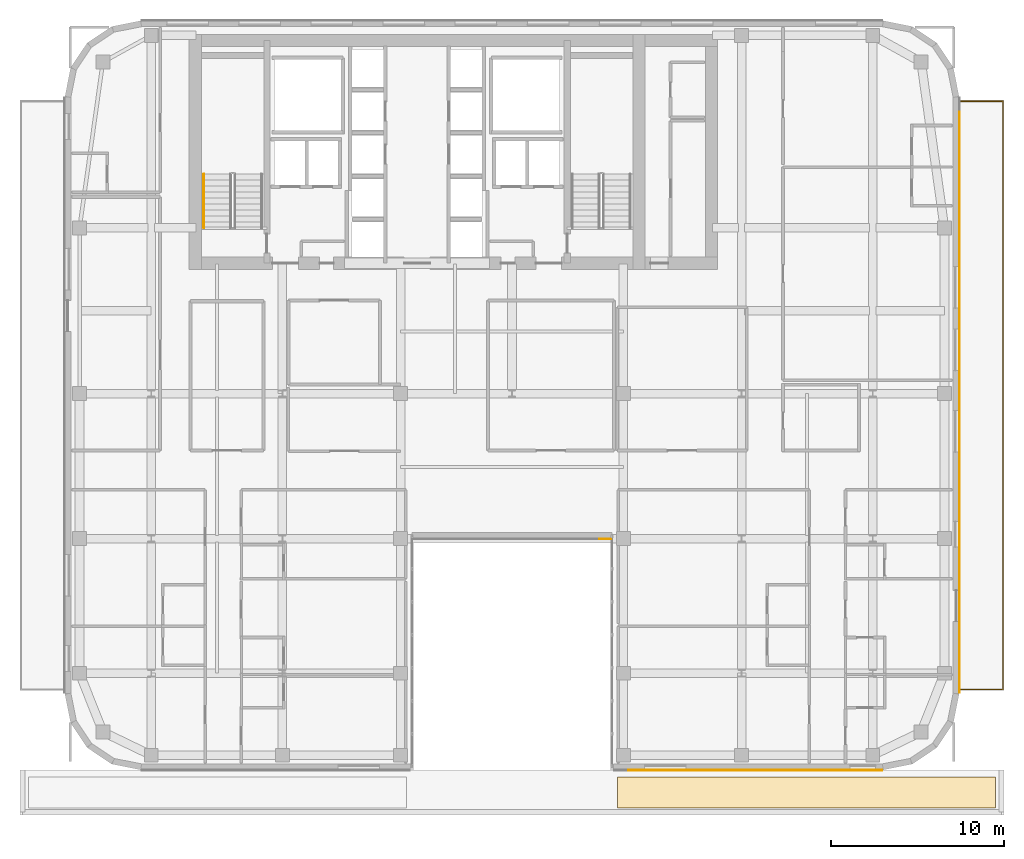
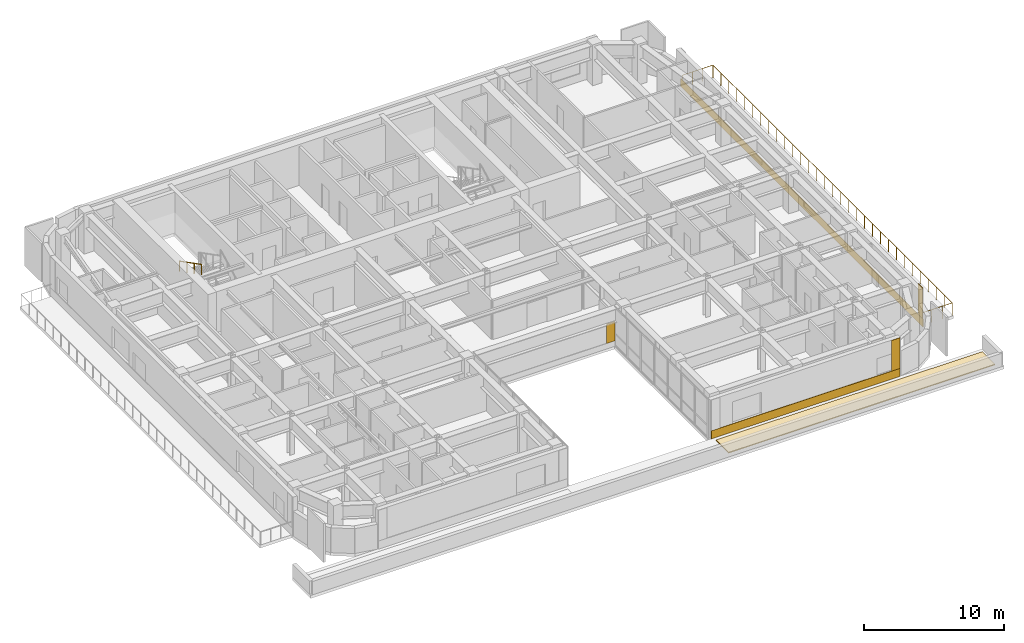
# One storey, part 17 of 20: 6 coverings, 2 railings.
"""IFC4 building model written with IfcOpenShell, lengths in metres."""

from ifc_helpers import new_model, si_unit, direction, frame, origin, origin_2d, place, context, subcontext, project, spatial, polyline, circle, outline, extrude, material, layer, layer_set, type_object, element, save


model = new_model("IFC4")

# Units and contexts
model_context = context("Model", 3, precision=1e-05, world=origin(), true_north=direction((0.0, 1.0)))
body_context = subcontext(model_context, "Body", "Model", "MODEL_VIEW")
ifc_project = project(units=[si_unit("LENGTHUNIT", "METRE"), si_unit("AREAUNIT", "SQUARE_METRE"), si_unit("VOLUMEUNIT", "CUBIC_METRE"), si_unit("PLANEANGLEUNIT", "RADIAN"), si_unit("MASSUNIT", "GRAM", prefix="KILO")], contexts=[model_context])

# Site, building, storey
site_placement = place(None, origin())
site = spatial("IfcSite", under=ifc_project, at=site_placement, CompositionType="ELEMENT")
building_placement = place(site_placement, origin())
building = spatial("IfcBuilding", under=site, at=building_placement, Name="Tolvann Quenvar Hotel", CompositionType="ELEMENT")
storey_placement = place(building_placement, frame((0.0, 0.0, 147.050048828125)))
storey = spatial("IfcBuildingStorey", under=building, at=storey_placement, Name="L38", CompositionType="ELEMENT", Elevation=147.050048828125)

# Coverings
ifc_material_1 = material(Name="Kiln-fired red architectural face brick cladding", Category="masonry")
ifc_layer_1 = layer(ifc_material_1, 0.0400390625)
ifc_layer_set_1 = layer_set([ifc_layer_1], Name="Kiln-fired red architectural face brick cladding")
covering_type_1 = type_object("IfcCoveringType", Name="COV_CLAD_BRICK_40", PredefinedType="CLADDING", material=ifc_layer_set_1)
covering_1_placement = place(storey_placement, frame((0.0, 0.0, 0.47509765625)))
element("IfcCovering", 1, at=covering_1_placement, inside=storey, type_object=covering_type_1, Name="Brick Pier Cladding (L38-E06-P2)", PredefinedType="CLADDING", context=body_context, shape_type="SweptSolid", body=[
    extrude(outline(polyline([(33.5400390625, 16.0), (34.239990234375, 16.0), (34.239990234375, 15.9599609375), (33.5400390625, 15.9599609375), (33.5400390625, 16.0)])), origin(), (0.0, 0.0, 1.0), 1.684814453125),
])
covering_2_placement = place(storey_placement, frame((0.0, 0.0, 0.699951171875)))
element("IfcCovering", 2, at=covering_2_placement, inside=storey, type_object=covering_type_1, Name="Brick Pier Cladding (L38-E08-P2)", PredefinedType="CLADDING", context=body_context, shape_type="SweptSolid", body=[
    extrude(outline(polyline([(49.23291015625, 2.60009765625), (49.932861328125, 2.60009765625), (49.932861328125, 2.56005859375), (49.23291015625, 2.56005859375), (49.23291015625, 2.60009765625)])), origin(), (0.0, 0.0, 1.0), 2.669921875),
])
covering_3_placement = place(storey_placement, frame((0.0, 0.0, 0.699951171875)))
element("IfcCovering", 3, at=covering_3_placement, inside=storey, type_object=covering_type_1, Name="Brick Pier Cladding (L38-E13-P1)", PredefinedType="CLADDING", context=body_context, shape_type="SweptSolid", body=[
    extrude(outline(polyline([(54.39990234375, 7.067138671875), (54.39990234375, 7.76708984375), (54.43994140625, 7.76708984375), (54.43994140625, 7.067138671875), (54.39990234375, 7.067138671875)])), origin(), (0.0, 0.0, 1.0), 2.669921875),
])
ifc_material_2 = material(Name="Moulded buff architectural terracotta spandrel cladding", Category="masonry")
ifc_layer_2 = layer(ifc_material_2, 0.0400390625)
ifc_layer_set_2 = layer_set([ifc_layer_2], Name="Moulded buff architectural terracotta spandrel cladding")
covering_type_2 = type_object("IfcCoveringType", Name="COV_CLAD_TERRA_40", PredefinedType="CLADDING", material=ifc_layer_set_2)
covering_4_placement = place(storey_placement, origin())
element("IfcCovering", 4, at=covering_4_placement, inside=storey, type_object=covering_type_2, Name="Terracotta Spandrel Cladding (L38-E08)", PredefinedType="CLADDING", context=body_context, shape_type="SweptSolid", body=[
    extrude(outline(polyline([(34.4150390625, 2.60009765625), (49.94287109375, 2.60009765625), (49.94287109375, 2.56005859375), (34.4150390625, 2.56005859375), (34.4150390625, 2.60009765625)])), origin(), (0.0, 0.0, 1.0), 0.699951171875),
])
covering_5_placement = place(storey_placement, origin())
element("IfcCovering", 5, at=covering_5_placement, inside=storey, type_object=covering_type_2, Name="Terracotta Spandrel Cladding (L38-E13)", PredefinedType="CLADDING", context=body_context, shape_type="SweptSolid", body=[
    extrude(outline(polyline([(54.39990234375, 7.05712890625), (54.39990234375, 41.542724609375), (54.43994140625, 41.542724609375), (54.43994140625, 7.05712890625), (54.39990234375, 7.05712890625)])), origin(), (0.0, 0.0, 1.0), 0.699951171875),
])
ifc_material_3 = material(Name="Elastomeric SBS waterproof roofing membrane and rigid insulation")
ifc_layer_3 = layer(ifc_material_3, 0.080078125)
ifc_layer_set_3 = layer_set([ifc_layer_3], Name="Elastomeric SBS waterproof roofing membrane and rigid insulation")
covering_type_3 = type_object("IfcCoveringType", Name="COV_ROOF_MEMB_80", PredefinedType="ROOFING", material=ifc_layer_set_3)
covering_6_placement = place(storey_placement, origin())
element("IfcCovering", 6, at=covering_6_placement, inside=storey, type_object=covering_type_3, Name="Waterproof Roof Membrane (ROOFING-L38-S2)", PredefinedType="ROOFING", context=body_context, shape_type="SweptSolid", body=[
    extrude(outline(polyline([(34.60009765625, 0.39990234375), (56.5, 0.39990234375), (56.5, 2.199951171875), (34.60009765625, 2.199951171875), (34.60009765625, 0.39990234375)])), origin(), (0.0, 0.0, 1.0), 0.079833984375),
])

# Railings
ifc_material_4 = material(Name="Brushed 316 stainless steel balustrade and handrail", Category="steel")
railing_type_1 = type_object("IfcRailingType", Name="HANDRAIL", PredefinedType="HANDRAIL", material=ifc_material_4)
railing_1_placement = place(storey_placement, frame((10.64990234375, 37.10498046875, 1.952392578125)))
element("IfcRailing", 7, at=railing_1_placement, inside=storey, type_object=railing_type_1, Name="L38 ST-C1 stair handrail 2", PredefinedType="HANDRAIL", context=body_context, shape_type="SweptSolid", body=[
    extrude(circle(Radius=0.02392578125, at=origin_2d()), frame((0.0, 0.0, 0.8759765625), z_axis=(0.0, -0.88919353882, 0.457531256332), x_axis=(1.0, 0.0, 0.0)), (0.0, 0.0, 1.0), 3.491943359375),
    extrude(circle(Radius=0.02099609375, at=origin_2d()), origin(), (0.0, 0.0, 1.0), 0.851806640625),
    extrude(circle(Radius=0.02099609375, at=origin_2d()), frame((0.0, -1.034912109375, 0.532470703125)), (0.0, 0.0, 1.0), 0.851806640625),
    extrude(circle(Radius=0.02099609375, at=origin_2d()), frame((0.0, -2.070068359375, 1.065185546875)), (0.0, 0.0, 1.0), 0.851806640625),
    extrude(circle(Radius=0.02099609375, at=origin_2d()), frame((0.0, -3.10498046875, 1.59765625)), (0.0, 0.0, 1.0), 0.851806640625),
])
ifc_material_5 = material(Name="Brushed 316 marine-grade stainless steel balustrade and laminated safety glass", Category="steel")
railing_type_2 = type_object("IfcRailingType", Name="RAIL_BAL_1100", PredefinedType="BALUSTRADE", material=ifc_material_5)
railing_2_placement = place(storey_placement, frame((54.419921875, 7.260009765625, 0.0)))
element("IfcRailing", 8, at=railing_2_placement, inside=storey, type_object=railing_type_2, Name="Safety Balustrade BAL-TER-L38-E", PredefinedType="BALUSTRADE", context=body_context, shape_type="SweptSolid", body=[
    extrude(circle(Radius=0.02490234375, at=origin_2d()), frame((0.0, 0.0, 1.09521484375), z_axis=(1.0, 0.0, 0.0), x_axis=(0.0, 1.0, 0.0)), (0.0, 0.0, 1.0), 2.52001953125),
    extrude(circle(Radius=0.02490234375, at=origin_2d()), frame((2.52001953125, 0.0, 1.09521484375), z_axis=(0.0, 1.0, 0.0), x_axis=(-1.0, 0.0, 0.0)), (0.0, 0.0, 1.0), 34.080078125),
    extrude(circle(Radius=0.02490234375, at=origin_2d()), frame((2.52001953125, 34.080078125, 1.09521484375), z_axis=(-1.0, 0.0, 0.0), x_axis=(0.0, -1.0, 0.0)), (0.0, 0.0, 1.0), 2.52001953125),
    extrude(circle(Radius=0.02197265625, at=origin_2d()), origin(), (0.0, 0.0, 1.0), 1.070068359375),
    extrude(circle(Radius=0.02197265625, at=origin_2d()), frame((0.840087890625, 0.0, 0.0)), (0.0, 0.0, 1.0), 1.070068359375),
    extrude(circle(Radius=0.02197265625, at=origin_2d()), frame((1.679931640625, 0.0, 0.0)), (0.0, 0.0, 1.0), 1.070068359375),
    extrude(circle(Radius=0.02197265625, at=origin_2d()), frame((2.52001953125, 0.0, 0.0)), (0.0, 0.0, 1.0), 1.070068359375),
    extrude(circle(Radius=0.02197265625, at=origin_2d()), frame((2.52001953125, 1.135986328125, 0.0)), (0.0, 0.0, 1.0), 1.070068359375),
    extrude(circle(Radius=0.02197265625, at=origin_2d()), frame((2.52001953125, 2.27197265625, 0.0)), (0.0, 0.0, 1.0), 1.070068359375),
    extrude(circle(Radius=0.02197265625, at=origin_2d()), frame((2.52001953125, 3.407958984375, 0.0)), (0.0, 0.0, 1.0), 1.070068359375),
    extrude(circle(Radius=0.02197265625, at=origin_2d()), frame((2.52001953125, 4.5439453125, 0.0)), (0.0, 0.0, 1.0), 1.070068359375),
    extrude(circle(Radius=0.02197265625, at=origin_2d()), frame((2.52001953125, 5.679931640625, 0.0)), (0.0, 0.0, 1.0), 1.070068359375),
    extrude(circle(Radius=0.02197265625, at=origin_2d()), frame((2.52001953125, 6.81591796875, 0.0)), (0.0, 0.0, 1.0), 1.070068359375),
    extrude(circle(Radius=0.02197265625, at=origin_2d()), frame((2.52001953125, 7.951904296875, 0.0)), (0.0, 0.0, 1.0), 1.070068359375),
    extrude(circle(Radius=0.02197265625, at=origin_2d()), frame((2.52001953125, 9.088134765625, 0.0)), (0.0, 0.0, 1.0), 1.070068359375),
    extrude(circle(Radius=0.02197265625, at=origin_2d()), frame((2.52001953125, 10.22412109375, 0.0)), (0.0, 0.0, 1.0), 1.070068359375),
    extrude(circle(Radius=0.02197265625, at=origin_2d()), frame((2.52001953125, 11.360107421875, 0.0)), (0.0, 0.0, 1.0), 1.070068359375),
    extrude(circle(Radius=0.02197265625, at=origin_2d()), frame((2.52001953125, 12.49609375, 0.0)), (0.0, 0.0, 1.0), 1.070068359375),
    extrude(circle(Radius=0.02197265625, at=origin_2d()), frame((2.52001953125, 13.632080078125, 0.0)), (0.0, 0.0, 1.0), 1.070068359375),
    extrude(circle(Radius=0.02197265625, at=origin_2d()), frame((2.52001953125, 14.76806640625, 0.0)), (0.0, 0.0, 1.0), 1.070068359375),
    extrude(circle(Radius=0.02197265625, at=origin_2d()), frame((2.52001953125, 15.904052734375, 0.0)), (0.0, 0.0, 1.0), 1.070068359375),
    extrude(circle(Radius=0.02197265625, at=origin_2d()), frame((2.52001953125, 17.0400390625, 0.0)), (0.0, 0.0, 1.0), 1.070068359375),
    extrude(circle(Radius=0.02197265625, at=origin_2d()), frame((2.52001953125, 18.176025390625, 0.0)), (0.0, 0.0, 1.0), 1.070068359375),
    extrude(circle(Radius=0.02197265625, at=origin_2d()), frame((2.52001953125, 19.31201171875, 0.0)), (0.0, 0.0, 1.0), 1.070068359375),
    extrude(circle(Radius=0.02197265625, at=origin_2d()), frame((2.52001953125, 20.447998046875, 0.0)), (0.0, 0.0, 1.0), 1.070068359375),
    extrude(circle(Radius=0.02197265625, at=origin_2d()), frame((2.52001953125, 21.583984375, 0.0)), (0.0, 0.0, 1.0), 1.070068359375),
    extrude(circle(Radius=0.02197265625, at=origin_2d()), frame((2.52001953125, 22.719970703125, 0.0)), (0.0, 0.0, 1.0), 1.070068359375),
    extrude(circle(Radius=0.02197265625, at=origin_2d()), frame((2.52001953125, 23.85595703125, 0.0)), (0.0, 0.0, 1.0), 1.070068359375),
    extrude(circle(Radius=0.02197265625, at=origin_2d()), frame((2.52001953125, 24.991943359375, 0.0)), (0.0, 0.0, 1.0), 1.070068359375),
    extrude(circle(Radius=0.02197265625, at=origin_2d()), frame((2.52001953125, 26.128173828125, 0.0)), (0.0, 0.0, 1.0), 1.070068359375),
    extrude(circle(Radius=0.02197265625, at=origin_2d()), frame((2.52001953125, 27.26416015625, 0.0)), (0.0, 0.0, 1.0), 1.070068359375),
    extrude(circle(Radius=0.02197265625, at=origin_2d()), frame((2.52001953125, 28.400146484375, 0.0)), (0.0, 0.0, 1.0), 1.070068359375),
    extrude(circle(Radius=0.02197265625, at=origin_2d()), frame((2.52001953125, 29.5361328125, 0.0)), (0.0, 0.0, 1.0), 1.070068359375),
    extrude(circle(Radius=0.02197265625, at=origin_2d()), frame((2.52001953125, 30.672119140625, 0.0)), (0.0, 0.0, 1.0), 1.070068359375),
    extrude(circle(Radius=0.02197265625, at=origin_2d()), frame((2.52001953125, 31.80810546875, 0.0)), (0.0, 0.0, 1.0), 1.070068359375),
    extrude(circle(Radius=0.02197265625, at=origin_2d()), frame((2.52001953125, 32.944091796875, 0.0)), (0.0, 0.0, 1.0), 1.070068359375),
    extrude(circle(Radius=0.02197265625, at=origin_2d()), frame((2.52001953125, 34.080078125, 0.0)), (0.0, 0.0, 1.0), 1.070068359375),
    extrude(circle(Radius=0.02197265625, at=origin_2d()), frame((1.679931640625, 34.080078125, 0.0)), (0.0, 0.0, 1.0), 1.070068359375),
    extrude(circle(Radius=0.02197265625, at=origin_2d()), frame((0.840087890625, 34.080078125, 0.0)), (0.0, 0.0, 1.0), 1.070068359375),
    extrude(circle(Radius=0.02197265625, at=origin_2d()), frame((0.0, 34.080078125, 0.0)), (0.0, 0.0, 1.0), 1.070068359375),
])

save(model, "model.ifc")
